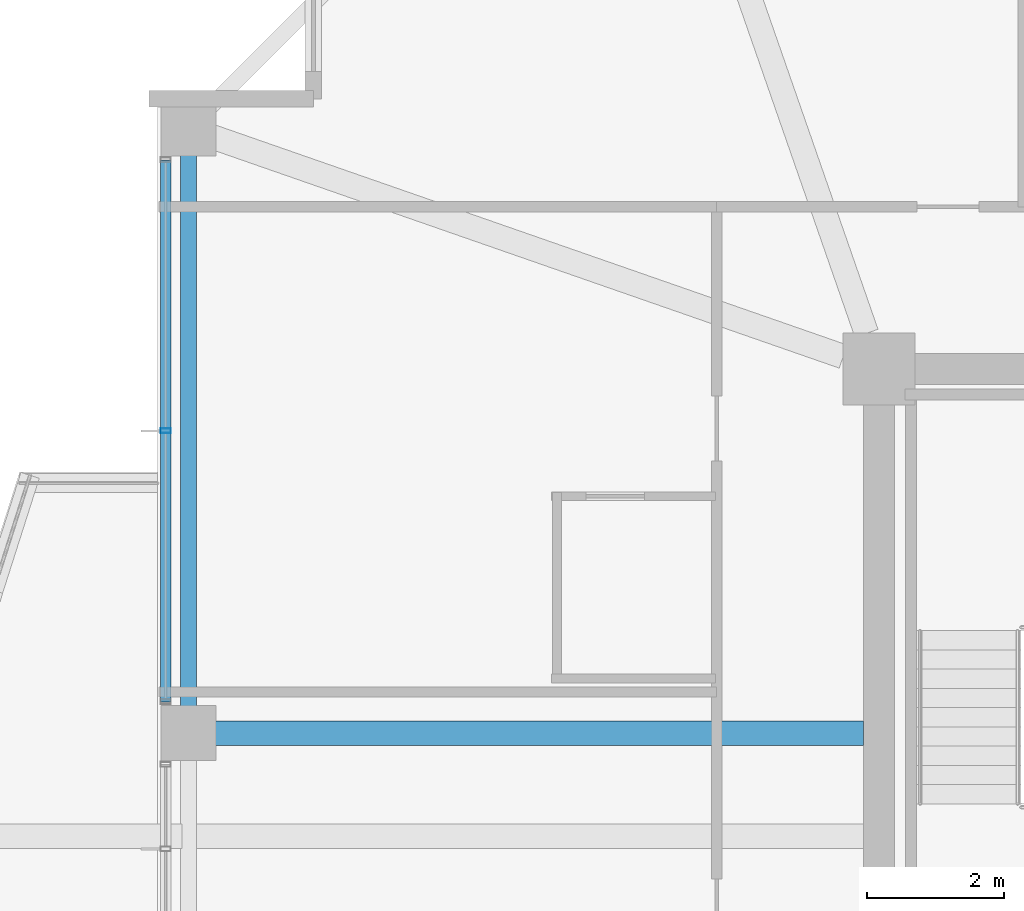
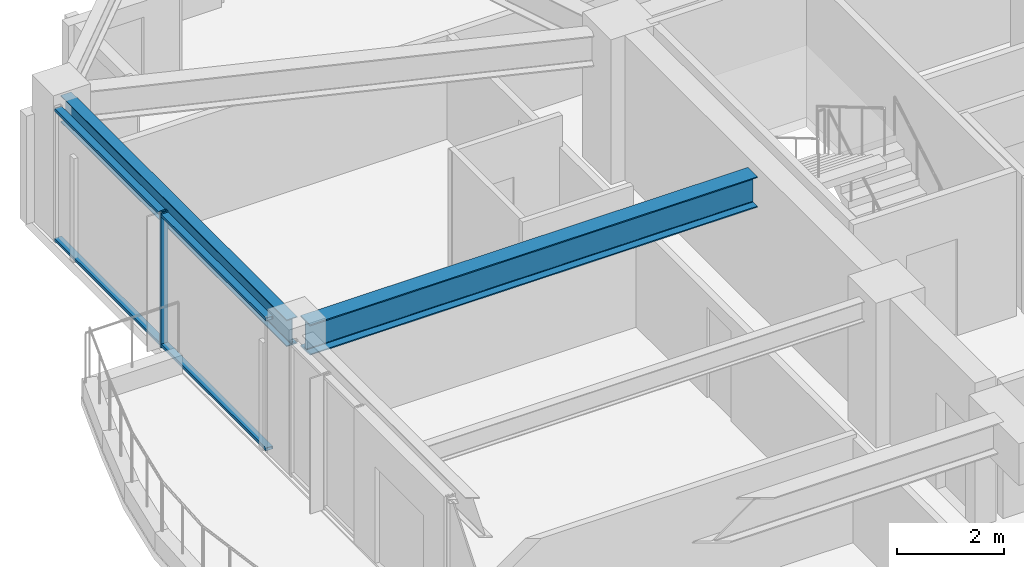
# One storey, part 8 of 34: 3 members, 2 beams, 1 element without a shape of its own.
"""IFC4 building model written with IfcOpenShell, lengths in metres."""

from ifc_helpers import new_model, si_unit, direction, frame, origin, origin_2d, place, context, subcontext, project, spatial, hollow_rectangle, i_section, extrude, material, material_profile, profile_set, type_object, element, aggregate, save


model = new_model("IFC4")

# Units and contexts
model_context = context("Model", 3, precision=1e-05, world=origin(), true_north=direction((0.0, 1.0)))
body_context = subcontext(model_context, "Body", "Model", "MODEL_VIEW")
ifc_project = project(units=[si_unit("LENGTHUNIT", "METRE"), si_unit("AREAUNIT", "SQUARE_METRE"), si_unit("VOLUMEUNIT", "CUBIC_METRE"), si_unit("PLANEANGLEUNIT", "RADIAN"), si_unit("MASSUNIT", "GRAM", prefix="KILO")], contexts=[model_context])

# Site, building, storey
site_placement = place(None, origin())
site = spatial("IfcSite", under=ifc_project, at=site_placement, CompositionType="ELEMENT")
building_placement = place(site_placement, origin())
building = spatial("IfcBuilding", under=site, at=building_placement, Name="Kolvaren Belvedere", CompositionType="ELEMENT")
storey_placement = place(building_placement, frame((0.0, 0.0, 222.89990234375)))
storey = spatial("IfcBuildingStorey", under=building, at=storey_placement, Name="L65", CompositionType="ELEMENT", Elevation=222.89990234375)

# Beams
ifc_material_1 = material(Name="Structural steel ASTM A992 Grade 50", Category="steel")
ifc_material_profile_1 = material_profile(ifc_material_1, i_section(OverallWidth=0.35498046875, OverallDepth=0.696044921875, WebThickness=0.015380859375, FlangeThickness=0.02490234375, FilletRadius=0.02197265625, at=origin_2d()), Name="W27X146")
ifc_profile_set_1 = profile_set([ifc_material_profile_1], Name="Structural steel ASTM A992 Grade 50")
beam_type_1 = type_object("IfcBeamType", Name="BM-GIRD-W27X146", PredefinedType="BEAM", material=ifc_profile_set_1)
beam_1_placement = place(storey_placement, frame((-10.125, 4.60009765625, 2.732177734375), z_axis=(-1.0, 0.0, 0.0), x_axis=(0.0, -1.0, 0.0)))
element("IfcBeam", 1, at=beam_1_placement, inside=storey, type_object=beam_type_1, Name="L65 West Radial Girder P", PredefinedType="BEAM", context=body_context, shape_type="SweptSolid", body=[
    extrude(i_section(OverallWidth=0.35498046875, OverallDepth=0.696044921875, WebThickness=0.015380859375, FlangeThickness=0.02490234375, FilletRadius=0.02197265625, at=origin_2d()), origin(), (0.0, 0.0, 1.0), 9.64501953125),
])
ifc_material_2 = material(Name="Structural steel ASTM A992 Grade 50", Category="steel")
ifc_material_profile_2 = material_profile(ifc_material_2, i_section(OverallWidth=0.22900390625, OverallDepth=0.612060546875, WebThickness=0.011962890625, FlangeThickness=0.01953125, FilletRadius=0.01806640625, at=origin_2d()), Name="W24X84")
ifc_profile_set_2 = profile_set([ifc_material_profile_2], Name="Structural steel ASTM A992 Grade 50")
beam_type_2 = type_object("IfcBeamType", Name="BM-SPAN-W24X84", PredefinedType="SPANDREL", material=ifc_profile_set_2)
beam_2_placement = place(storey_placement, frame((-19.949951171875, 13.219970703125, 2.774169921875), z_axis=(0.0, -1.0, 0.0), x_axis=(1.0, 0.0, 0.0)))
element("IfcBeam", 2, at=beam_2_placement, inside=storey, type_object=beam_type_2, Name="L65 Perimeter Spandrel W4-W3", PredefinedType="SPANDREL", context=body_context, shape_type="SweptSolid", body=[
    extrude(i_section(OverallWidth=0.22900390625, OverallDepth=0.612060546875, WebThickness=0.011962890625, FlangeThickness=0.01953125, FilletRadius=0.01806640625, at=origin_2d()), origin(), (0.0, 0.0, 1.0), 8.43994140625),
])

# Curtain wall, members
ifc_material_3 = material(Name="Anodised pale-metal aluminium AA 6063-T6", Category="aluminium")
curtain_wall_type = type_object("IfcCurtainWallType", Name="CW-Z5-HIGH", PredefinedType="NOTDEFINED", material=ifc_material_3)
curtain_wall_placement = place(storey_placement, origin())
curtain_wall = element("IfcCurtainWall", 3, at=curtain_wall_placement, inside=storey, type_object=curtain_wall_type, Name="L65 Unitised Curtain Wall FCW-L65-W2-B2", PredefinedType="NOTDEFINED")
ifc_material_4 = material(Name="Anodised pale-metal aluminium AA 6063-T6", Category="aluminium")
ifc_material_profile_3 = material_profile(ifc_material_4, hollow_rectangle(XDim=0.070068359375, YDim=0.14990234375, WallThickness=0.004150390625, at=origin_2d()), Name="ALU-MUL-150X70")
ifc_profile_set_3 = profile_set([ifc_material_profile_3], Name="Anodised pale-metal aluminium AA 6063-T6")
member_type_1 = type_object("IfcMemberType", Name="CW-MUL-150", PredefinedType="MULLION", material=ifc_profile_set_3)
member_1_placement = place(storey_placement, frame((-20.280029296875, 9.0, 0.0), z_axis=(0.0, 0.0, 1.0), x_axis=(0.0, 1.0, 0.0)))
member_1 = element("IfcMember", 4, at=member_1_placement, type_object=member_type_1, Name="FCW-L65-W2-B2 Unitised Mullion 2", PredefinedType="MULLION", context=body_context, shape_type="SweptSolid", body=[
    extrude(hollow_rectangle(XDim=0.070068359375, YDim=0.14990234375, WallThickness=0.004150390625, at=origin_2d()), origin(), (0.0, 0.0, 1.0), 3.080078125),
])
ifc_material_5 = material(Name="Anodised pale-metal aluminium AA 6063-T6", Category="aluminium")
ifc_material_profile_4 = material_profile(ifc_material_5, hollow_rectangle(XDim=0.06494140625, YDim=0.14990234375, WallThickness=0.00390625, at=origin_2d()), Name="ALU-TRN-150X65")
ifc_profile_set_4 = profile_set([ifc_material_profile_4], Name="Anodised pale-metal aluminium AA 6063-T6")
member_type_2 = type_object("IfcMemberType", Name="CW-TRN-150", PredefinedType="USERDEFINED", material=ifc_profile_set_4)
member_2_placement = place(storey_placement, frame((-20.280029296875, 5.054931640625, 0.06005859375), z_axis=(0.0, 1.0, 0.0), x_axis=(0.0, 0.0, 1.0)))
member_2 = element("IfcMember", 5, at=member_2_placement, type_object=member_type_2, Name="FCW-L65-W2-B2 Sill Transom", ObjectType="TRANSOM", PredefinedType="USERDEFINED", context=body_context, shape_type="SweptSolid", body=[
    extrude(hollow_rectangle(XDim=0.06494140625, YDim=0.14990234375, WallThickness=0.00390625, at=origin_2d()), origin(), (0.0, 0.0, 1.0), 7.89013671875),
])
member_3_placement = place(storey_placement, frame((-20.280029296875, 5.054931640625, 3.02001953125), z_axis=(0.0, 1.0, 0.0), x_axis=(0.0, 0.0, 1.0)))
member_3 = element("IfcMember", 6, at=member_3_placement, type_object=member_type_2, Name="FCW-L65-W2-B2 Head Transom", ObjectType="TRANSOM", PredefinedType="USERDEFINED", context=body_context, shape_type="SweptSolid", body=[
    extrude(hollow_rectangle(XDim=0.06494140625, YDim=0.14990234375, WallThickness=0.00390625, at=origin_2d()), origin(), (0.0, 0.0, 1.0), 7.89013671875),
])
aggregate(curtain_wall, [member_1, member_2, member_3])

save(model, "model.ifc")
